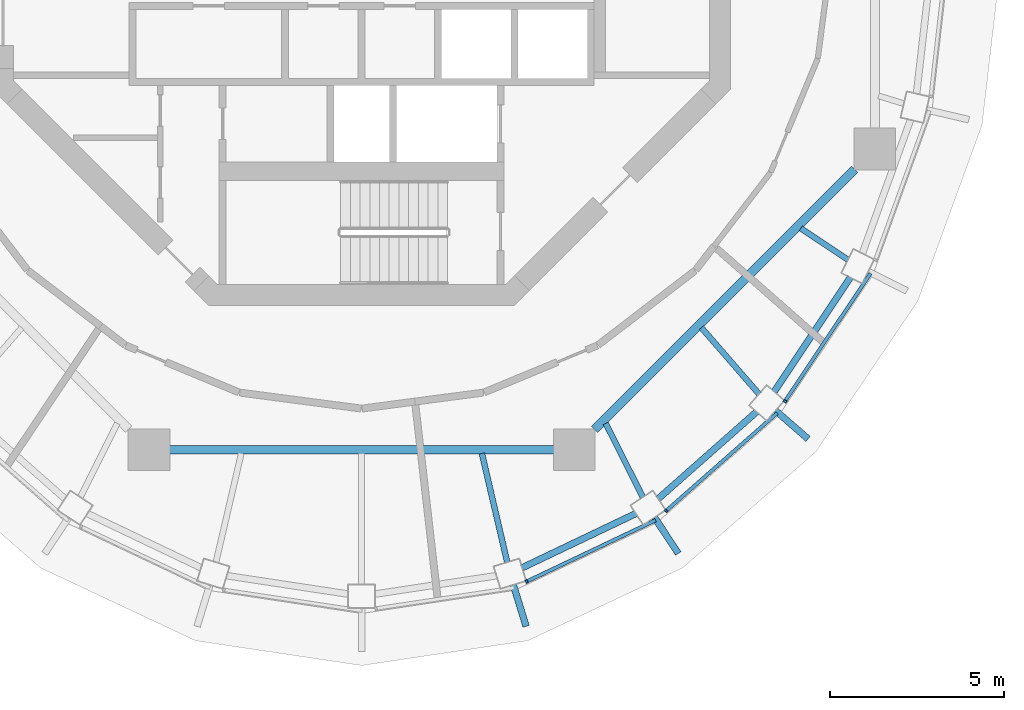
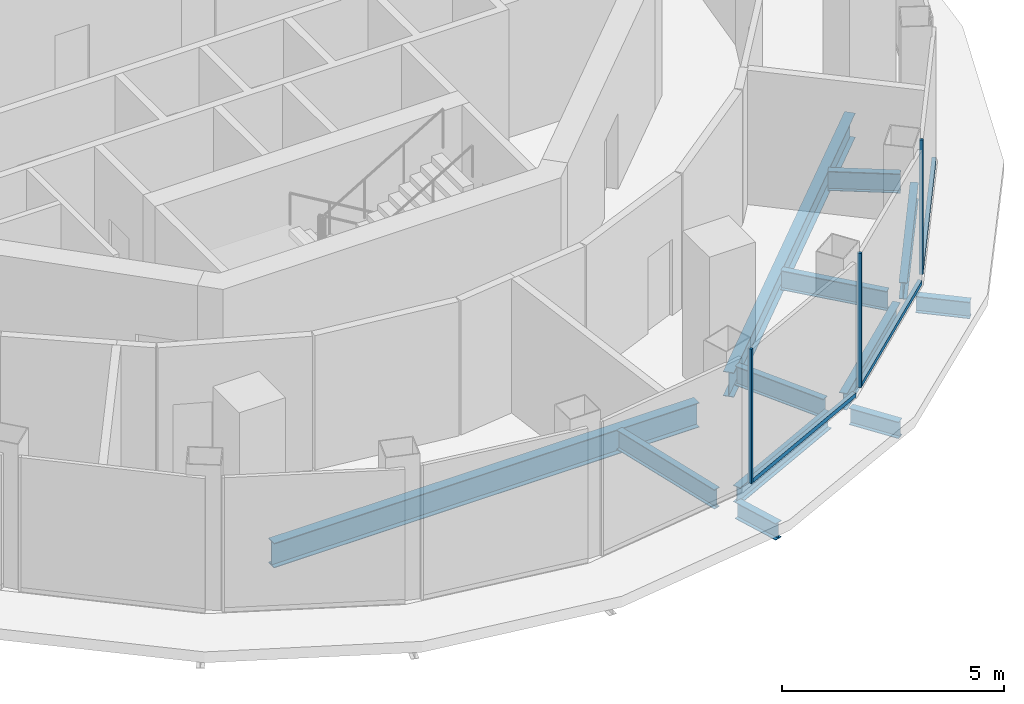
# One storey, part 3 of 11: 12 beams, 6 members, 3 elements without a shape of their own.
"""IFC4 building model written with IfcOpenShell, lengths in metres."""

from ifc_helpers import new_model, si_unit, direction, frame, origin, origin_2d, place, context, subcontext, project, spatial, rectangle, i_section, extrude, material, layer, layer_set, material_profile, profile_set, type_object, element, aggregate, save


model = new_model("IFC4")

# Units and contexts
model_context = context("Model", 3, precision=1e-05, world=origin(), true_north=direction((0.0, 1.0)))
body_context = subcontext(model_context, "Body", "Model", "MODEL_VIEW")
ifc_project = project(units=[si_unit("LENGTHUNIT", "METRE"), si_unit("AREAUNIT", "SQUARE_METRE"), si_unit("VOLUMEUNIT", "CUBIC_METRE"), si_unit("PLANEANGLEUNIT", "RADIAN"), si_unit("MASSUNIT", "GRAM", prefix="KILO")], contexts=[model_context])

# Site, building, storey
site_placement = place(None, origin())
site = spatial("IfcSite", under=ifc_project, at=site_placement, CompositionType="ELEMENT")
building_placement = place(site_placement, origin())
building = spatial("IfcBuilding", under=site, at=building_placement, Name="Nagisa Residences", CompositionType="ELEMENT")
storey_placement = place(building_placement, frame((0.0, 0.0, 324.89990234375)))
storey = spatial("IfcBuildingStorey", under=building, at=storey_placement, Name="L80", CompositionType="ELEMENT", Elevation=324.89990234375)

# Curtain wall, member
ifc_material_1 = material(Name="Aluminium curtain wall system", Category="aluminium")
ifc_layer = layer(ifc_material_1, 0.159912109375)
ifc_layer_set = layer_set([ifc_layer], Name="CW5 CURTAIN WALL")
curtain_wall_type = type_object("IfcCurtainWallType", Name="CW5 CURTAIN WALL", PredefinedType="NOTDEFINED", material=ifc_layer_set)
curtain_wall_1_placement = place(storey_placement, origin())
curtain_wall_1 = element("IfcCurtainWall", 1, at=curtain_wall_1_placement, inside=storey, type_object=curtain_wall_type, Name="cw:CW5:L80:19", PredefinedType="NOTDEFINED")
ifc_material_2 = material(Name="Aluminium", Category="aluminium")
ifc_material_profile_1 = material_profile(ifc_material_2, rectangle(XDim=0.10009765625, YDim=0.06005859375, at=origin_2d()), Name="CW5 MULLION 100x60")
ifc_profile_set_1 = profile_set([ifc_material_profile_1], Name="Aluminium")
member_type_1 = type_object("IfcMemberType", Name="CW5 MULLION 100x60", PredefinedType="MULLION", material=ifc_profile_set_1)
member_1_placement = place(storey_placement, frame((4.75390625, -18.578857421875, 0.0), z_axis=(0.0, 0.0, 1.0), x_axis=(-0.429150642757, 0.903232929992, 0.0)))
member_1 = element("IfcMember", 2, at=member_1_placement, type_object=member_type_1, Name="CW5 mullion", PredefinedType="MULLION", context=body_context, shape_type="SweptSolid", body=[
    extrude(rectangle(XDim=0.10009765625, YDim=0.06005859375, at=origin_2d()), origin(), (0.0, 0.0, 1.0), 3.7001953125),
])

curtain_wall_2_placement = place(storey_placement, origin())
curtain_wall_2 = element("IfcCurtainWall", 3, at=curtain_wall_2_placement, inside=storey, type_object=curtain_wall_type, Name="cw:CW5:L80:20", PredefinedType="NOTDEFINED")
member_2_placement = place(storey_placement, frame((8.77001953125, -16.54345703125, 0.0), z_axis=(0.0, 0.0, 1.0), x_axis=(-0.660699467703, 0.750650526795, 0.0)))
member_2 = element("IfcMember", 4, at=member_2_placement, type_object=member_type_1, Name="CW5 mullion", PredefinedType="MULLION", context=body_context, shape_type="SweptSolid", body=[
    extrude(rectangle(XDim=0.10009765625, YDim=0.06005859375, at=origin_2d()), origin(), (0.0, 0.0, 1.0), 3.7001953125),
])

curtain_wall_3_placement = place(storey_placement, origin())
curtain_wall_3 = element("IfcCurtainWall", 5, at=curtain_wall_3_placement, inside=storey, type_object=curtain_wall_type, Name="cw:CW5:L80:21", PredefinedType="NOTDEFINED")
member_3_placement = place(storey_placement, frame((12.193359375, -13.38671875, 0.0), z_axis=(0.0, 0.0, 1.0), x_axis=(-0.831172662415, 0.556014393027, 0.0)))
member_3 = element("IfcMember", 6, at=member_3_placement, type_object=member_type_1, Name="CW5 mullion", PredefinedType="MULLION", context=body_context, shape_type="SweptSolid", body=[
    extrude(rectangle(XDim=0.10009765625, YDim=0.06005859375, at=origin_2d()), origin(), (0.0, 0.0, 1.0), 3.7001953125),
])

# Member
ifc_material_3 = material(Name="Aluminium", Category="aluminium")
ifc_material_profile_2 = material_profile(ifc_material_3, rectangle(XDim=0.10009765625, YDim=0.1201171875, at=origin_2d()), Name="CW5 TRANSOM 100x120")
ifc_profile_set_2 = profile_set([ifc_material_profile_2], Name="Aluminium")
member_type_2 = type_object("IfcMemberType", Name="CW5 TRANSOM 100x120", PredefinedType="USERDEFINED", material=ifc_profile_set_2)
member_4_placement = place(storey_placement, frame((4.726806640625, -18.591552734375, 0.06005859375), z_axis=(0.903235211694, 0.429145840426, 0.0), x_axis=(-0.429145840426, 0.903235211694, 0.0)))
member_4 = element("IfcMember", 7, at=member_4_placement, type_object=member_type_2, Name="CW5 transom", ObjectType="TRANSOM", PredefinedType="USERDEFINED", context=body_context, shape_type="SweptSolid", body=[
    extrude(rectangle(XDim=0.10009765625, YDim=0.1201171875, at=origin_2d()), origin(), (0.0, 0.0, 1.0), 4.139404296875),
])

aggregate(curtain_wall_1, [member_1, member_4])

member_5_placement = place(storey_placement, frame((8.747314453125, -16.563232421875, 0.06005859375), z_axis=(0.750655944686, 0.66069331214, 0.0), x_axis=(-0.66069331214, 0.750655944686, 0.0)))
member_5 = element("IfcMember", 8, at=member_5_placement, type_object=member_type_2, Name="CW5 transom", ObjectType="TRANSOM", PredefinedType="USERDEFINED", context=body_context, shape_type="SweptSolid", body=[
    extrude(rectangle(XDim=0.10009765625, YDim=0.1201171875, at=origin_2d()), origin(), (0.0, 0.0, 1.0), 4.29052734375),
])

aggregate(curtain_wall_2, [member_2, member_5])

member_6_placement = place(storey_placement, frame((12.1767578125, -13.41162109375, 0.06005859375), z_axis=(0.556026221044, 0.831164749921, 0.0), x_axis=(-0.831164749921, 0.556026221044, 0.0)))
member_6 = element("IfcMember", 9, at=member_6_placement, type_object=member_type_2, Name="CW5 transom", ObjectType="TRANSOM", PredefinedType="USERDEFINED", context=body_context, shape_type="SweptSolid", body=[
    extrude(rectangle(XDim=0.10009765625, YDim=0.1201171875, at=origin_2d()), origin(), (0.0, 0.0, 1.0), 4.458984375),
])

aggregate(curtain_wall_3, [member_3, member_6])

# Beams
ifc_material_4 = material(Name="Steel ASTM A572 Gr 50", Category="steel")
ifc_material_profile_3 = material_profile(ifc_material_4, i_section(OverallWidth=0.2529296875, OverallDepth=0.677978515625, WebThickness=0.01171875, FlangeThickness=0.016357421875, at=origin_2d()), Name="W690x125")
ifc_profile_set_3 = profile_set([ifc_material_profile_3], Name="Steel ASTM A572 Gr 50")
beam_type_1 = type_object("IfcBeamType", Name="Inner ring beam W690x125", PredefinedType="BEAM", material=ifc_profile_set_3)
beam_1_placement = place(storey_placement, frame((-5.54296875, -14.781982421875, -0.638916015625), z_axis=(1.0, 0.0, 0.0), x_axis=(0.0, 1.0, 0.0)))
element("IfcBeam", 10, at=beam_1_placement, inside=storey, type_object=beam_type_1, Name="beam:L80:ib6", PredefinedType="BEAM", context=body_context, shape_type="SweptSolid", body=[
    extrude(i_section(OverallWidth=0.2529296875, OverallDepth=0.677978515625, WebThickness=0.01171875, FlangeThickness=0.016357421875, at=origin_2d()), origin(), (0.0, 0.0, 1.0), 11.0859375),
])
beam_2_placement = place(storey_placement, frame((6.708740234375, -14.1962890625, -0.638916015625), z_axis=(0.707106781187, 0.707106781187, 0.0), x_axis=(-0.707106781187, 0.707106781187, 0.0)))
element("IfcBeam", 11, at=beam_2_placement, inside=storey, type_object=beam_type_1, Name="beam:L80:ib7", PredefinedType="BEAM", context=body_context, shape_type="SweptSolid", body=[
    extrude(i_section(OverallWidth=0.2529296875, OverallDepth=0.677978515625, WebThickness=0.01171875, FlangeThickness=0.016357421875, at=origin_2d()), origin(), (0.0, 0.0, 1.0), 10.589111328125),
])
ifc_material_5 = material(Name="Steel ASTM A572 Gr 50", Category="steel")
ifc_material_profile_4 = material_profile(ifc_material_5, i_section(OverallWidth=0.18994140625, OverallDepth=0.45703125, WebThickness=0.009033203125, FlangeThickness=0.014404296875, at=origin_2d()), Name="W460x74")
ifc_profile_set_4 = profile_set([ifc_material_profile_4], Name="Steel ASTM A572 Gr 50")
beam_type_2 = type_object("IfcBeamType", Name="Lantern ring bracket W460x74", PredefinedType="BEAM", material=ifc_profile_set_4)
beam_3_placement = place(storey_placement, frame((4.367431640625, -18.66796875, -0.5283203125), z_axis=(0.293731366826, -0.955888008159, 0.0), x_axis=(0.955888008159, 0.293731366826, 0.0)))
element("IfcBeam", 12, at=beam_3_placement, inside=storey, type_object=beam_type_2, Name="beam:L80:cb20", PredefinedType="BEAM", context=body_context, shape_type="SweptSolid", body=[
    extrude(i_section(OverallWidth=0.18994140625, OverallDepth=0.45703125, WebThickness=0.009033203125, FlangeThickness=0.014404296875, at=origin_2d()), origin(), (0.0, 0.0, 1.0), 1.25830078125),
])
beam_4_placement = place(storey_placement, frame((8.43212890625, -16.729736328125, -0.5283203125), z_axis=(0.552218453002, -0.833699454338, 0.0), x_axis=(0.833699454338, 0.552218453002, 0.0)))
element("IfcBeam", 13, at=beam_4_placement, inside=storey, type_object=beam_type_2, Name="beam:L80:cb21", PredefinedType="BEAM", context=body_context, shape_type="SweptSolid", body=[
    extrude(i_section(OverallWidth=0.18994140625, OverallDepth=0.45703125, WebThickness=0.009033203125, FlangeThickness=0.014404296875, at=origin_2d()), origin(), (0.0, 0.0, 1.0), 1.249755859375),
])
beam_5_placement = place(storey_placement, frame((11.916015625, -13.65185546875, -0.5283203125), z_axis=(0.753750379539, -0.65716083674, 0.0), x_axis=(0.65716083674, 0.753750379539, 0.0)))
element("IfcBeam", 14, at=beam_5_placement, inside=storey, type_object=beam_type_2, Name="beam:L80:cb22", PredefinedType="BEAM", context=body_context, shape_type="SweptSolid", body=[
    extrude(i_section(OverallWidth=0.18994140625, OverallDepth=0.45703125, WebThickness=0.009033203125, FlangeThickness=0.014404296875, at=origin_2d()), origin(), (0.0, 0.0, 1.0), 1.24853515625),
])
ifc_material_6 = material(Name="Steel ASTM A572 Gr 50", Category="steel")
ifc_material_profile_5 = material_profile(ifc_material_6, i_section(OverallWidth=0.18994140625, OverallDepth=0.45703125, WebThickness=0.009033203125, FlangeThickness=0.014404296875, at=origin_2d()), Name="W460x74")
ifc_profile_set_5 = profile_set([ifc_material_profile_5], Name="Steel ASTM A572 Gr 50")
beam_type_3 = type_object("IfcBeamType", Name="Perimeter ring beam W460x74", PredefinedType="BEAM", material=ifc_profile_set_5)
beam_6_placement = place(storey_placement, frame((4.617431640625, -18.18701171875, -0.5283203125), z_axis=(0.902613702305, 0.430451512266, 0.0), x_axis=(-0.430451512266, 0.902613702305, 0.0)))
element("IfcBeam", 15, at=beam_6_placement, inside=storey, type_object=beam_type_3, Name="beam:L80:pb20", PredefinedType="BEAM", context=body_context, shape_type="SweptSolid", body=[
    extrude(i_section(OverallWidth=0.18994140625, OverallDepth=0.45703125, WebThickness=0.009033203125, FlangeThickness=0.014404296875, at=origin_2d()), origin(), (0.0, 0.0, 1.0), 3.640625),
])
beam_7_placement = place(storey_placement, frame((8.53759765625, -16.2001953125, -0.5283203125), z_axis=(0.749401876552, 0.662115418503, 0.0), x_axis=(-0.662115418503, 0.749401876552, 0.0)))
element("IfcBeam", 16, at=beam_7_placement, inside=storey, type_object=beam_type_3, Name="beam:L80:pb21", PredefinedType="BEAM", context=body_context, shape_type="SweptSolid", body=[
    extrude(i_section(OverallWidth=0.18994140625, OverallDepth=0.45703125, WebThickness=0.009033203125, FlangeThickness=0.014404296875, at=origin_2d()), origin(), (0.0, 0.0, 1.0), 3.792724609375),
])
beam_8_placement = place(storey_placement, frame((11.8798828125, -13.115966796875, -0.5283203125), z_axis=(0.554529560082, 0.832164026497, 0.0), x_axis=(-0.832164026497, 0.554529560082, 0.0)))
element("IfcBeam", 17, at=beam_8_placement, inside=storey, type_object=beam_type_3, Name="beam:L80:pb22", PredefinedType="BEAM", context=body_context, shape_type="SweptSolid", body=[
    extrude(i_section(OverallWidth=0.18994140625, OverallDepth=0.45703125, WebThickness=0.009033203125, FlangeThickness=0.014404296875, at=origin_2d()), origin(), (0.0, 0.0, 1.0), 3.96240234375),
])
ifc_material_7 = material(Name="Steel ASTM A572 Gr 50", Category="steel")
ifc_material_profile_6 = material_profile(ifc_material_7, i_section(OverallWidth=0.166015625, OverallDepth=0.534912109375, WebThickness=0.01025390625, FlangeThickness=0.0166015625, at=origin_2d()), Name="W530x85")
ifc_profile_set_6 = profile_set([ifc_material_profile_6], Name="Steel ASTM A572 Gr 50")
beam_type_4 = type_object("IfcBeamType", Name="Radial beam W530x85", PredefinedType="BEAM", material=ifc_profile_set_6)
beam_9_placement = place(storey_placement, frame((4.195556640625, -18.0302734375, -0.5673828125), z_axis=(-0.226650446588, 0.973976167604, 0.0), x_axis=(-0.973976167604, -0.226650446588, 0.0)))
element("IfcBeam", 18, at=beam_9_placement, inside=storey, type_object=beam_type_4, Name="beam:L80:rb20", PredefinedType="BEAM", context=body_context, shape_type="SweptSolid", body=[
    extrude(i_section(OverallWidth=0.166015625, OverallDepth=0.534912109375, WebThickness=0.01025390625, FlangeThickness=0.0166015625, at=origin_2d()), origin(), (0.0, 0.0, 1.0), 3.22509765625),
])
beam_10_placement = place(storey_placement, frame((8.10107421875, -16.1572265625, -0.5673828125), z_axis=(-0.448236908276, 0.893914802461, 0.0), x_axis=(-0.893914802461, -0.448236908276, 0.0)))
element("IfcBeam", 19, at=beam_10_placement, inside=storey, type_object=beam_type_4, Name="beam:L80:rb21", PredefinedType="BEAM", context=body_context, shape_type="SweptSolid", body=[
    extrude(i_section(OverallWidth=0.166015625, OverallDepth=0.534912109375, WebThickness=0.01025390625, FlangeThickness=0.0166015625, at=origin_2d()), origin(), (0.0, 0.0, 1.0), 2.385009765625),
])
beam_11_placement = place(storey_placement, frame((11.44873046875, -13.183349609375, -0.5673828125), z_axis=(-0.655718438616, 0.755005516045, 0.0), x_axis=(-0.755005516045, -0.655718438616, 0.0)))
element("IfcBeam", 20, at=beam_11_placement, inside=storey, type_object=beam_type_4, Name="beam:L80:rb22", PredefinedType="BEAM", context=body_context, shape_type="SweptSolid", body=[
    extrude(i_section(OverallWidth=0.166015625, OverallDepth=0.534912109375, WebThickness=0.01025390625, FlangeThickness=0.0166015625, at=origin_2d()), origin(), (0.0, 0.0, 1.0), 2.53515625),
])
beam_12_placement = place(storey_placement, frame((14.012451171875, -9.31591796875, -0.5673828125), z_axis=(-0.832714310154, 0.553702878505, 0.0), x_axis=(-0.553702878505, -0.832714310154, 0.0)))
element("IfcBeam", 21, at=beam_12_placement, inside=storey, type_object=beam_type_4, Name="beam:L80:rb23", PredefinedType="BEAM", context=body_context, shape_type="SweptSolid", body=[
    extrude(i_section(OverallWidth=0.166015625, OverallDepth=0.534912109375, WebThickness=0.01025390625, FlangeThickness=0.0166015625, at=origin_2d()), origin(), (0.0, 0.0, 1.0), 1.638916015625),
])

save(model, "model.ifc")
